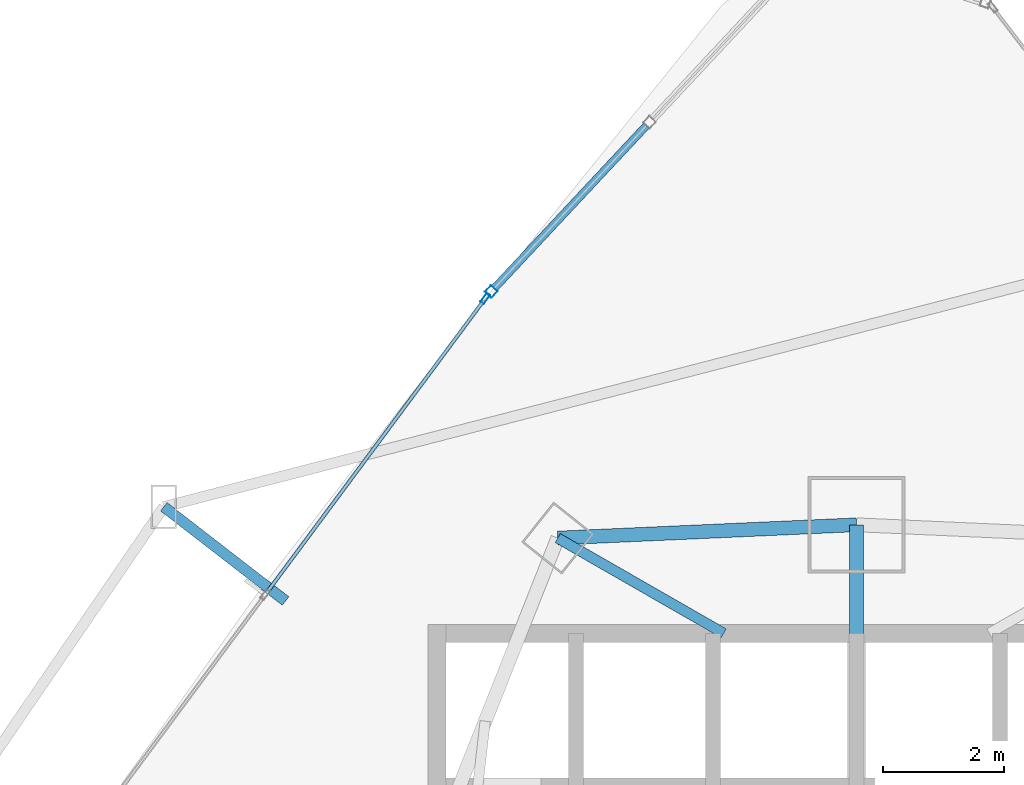
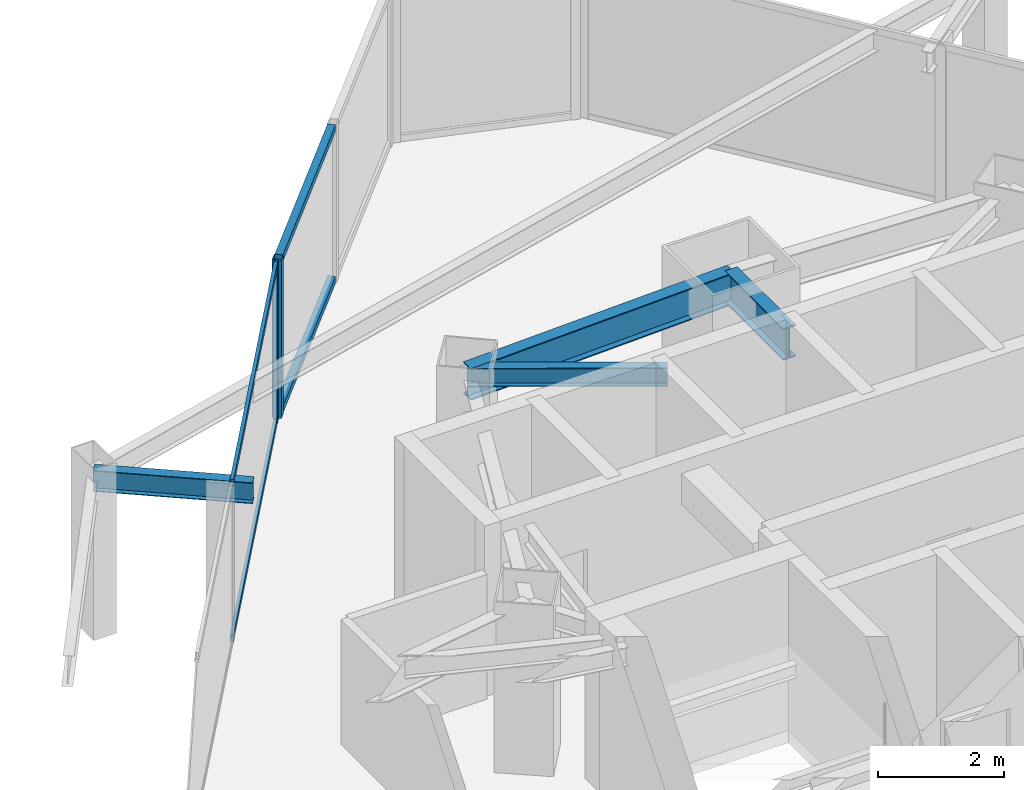
# One storey, part 22 of 34: 6 members, 4 beams, 2 elements without a shape of their own.
"""IFC4 building model written with IfcOpenShell, lengths in metres."""

from ifc_helpers import new_model, si_unit, direction, frame, origin, origin_2d, place, context, subcontext, project, spatial, hollow_rectangle, i_section, extrude, material, layer, layer_set, material_profile, profile_set, type_object, element, aggregate, save


model = new_model("IFC4")

# Units and contexts
model_context = context("Model", 3, precision=1e-05, world=origin(), true_north=direction((0.0, 1.0)))
body_context = subcontext(model_context, "Body", "Model", "MODEL_VIEW")
ifc_project = project(units=[si_unit("LENGTHUNIT", "METRE"), si_unit("AREAUNIT", "SQUARE_METRE"), si_unit("VOLUMEUNIT", "CUBIC_METRE"), si_unit("PLANEANGLEUNIT", "RADIAN"), si_unit("MASSUNIT", "GRAM", prefix="KILO")], contexts=[model_context])

# Site, building, storey
site_placement = place(None, origin())
site = spatial("IfcSite", under=ifc_project, at=site_placement, CompositionType="ELEMENT")
building_placement = place(site_placement, origin())
building = spatial("IfcBuilding", under=site, at=building_placement, Name="Orvanel Arch Residences", CompositionType="ELEMENT")
storey_placement = place(building_placement, frame((0.0, 0.0, 77.449951171875)))
storey = spatial("IfcBuildingStorey", under=building, at=storey_placement, Name="L21", CompositionType="ELEMENT", Elevation=77.449951171875)

# Beams
ifc_material_1 = material(Name="Structural steel AS/NZS 3679.1 Grade 300 (300 MPa)", Category="steel")
ifc_material_profile_1 = material_profile(ifc_material_1, i_section(OverallWidth=0.22900390625, OverallDepth=0.612060546875, WebThickness=0.011962890625, FlangeThickness=0.01953125, at=origin_2d()), Name="610UB125")
ifc_profile_set_1 = profile_set([ifc_material_profile_1], Name="Structural steel AS/NZS 3679.1 Grade 300 (300 MPa)")
beam_type_1 = type_object("IfcBeamType", Name="BG-610UB", PredefinedType="BEAM", material=ifc_profile_set_1)
beam_1_placement = place(storey_placement, frame((33.0, 39.550048828125, 2.754150390625), z_axis=(0.0, 1.0, 0.0), x_axis=(-1.0, 0.0, 0.0)))
element("IfcBeam", 1, at=beam_1_placement, inside=storey, type_object=beam_type_1, Name="L21 North Radial Girder", PredefinedType="BEAM", context=body_context, shape_type="SweptSolid", body=[
    extrude(i_section(OverallWidth=0.22900390625, OverallDepth=0.612060546875, WebThickness=0.011962890625, FlangeThickness=0.01953125, at=origin_2d()), origin(), (0.0, 0.0, 1.0), 1.847900390625),
])
ifc_material_profile_2 = material_profile(ifc_material_1, i_section(OverallWidth=0.1708984375, OverallDepth=0.35595703125, WebThickness=0.00732421875, FlangeThickness=0.011474609375, at=origin_2d()), Name="360UB50.7")
ifc_profile_set_2 = profile_set([ifc_material_profile_2], Name="Structural steel AS/NZS 3679.1 Grade 300 (300 MPa)")
beam_type_2 = type_object("IfcBeamType", Name="BJ-360UB", PredefinedType="JOIST", material=ifc_profile_set_2)
beam_2_placement = place(storey_placement, frame((30.800048828125, 39.60009765625, 2.882080078125), z_axis=(-0.86736513383, 0.497672306458, 0.0), x_axis=(-0.497672306458, -0.86736513383, 0.0)))
element("IfcBeam", 2, at=beam_2_placement, inside=storey, type_object=beam_type_2, Name="L21 MNW Wing Floor Joist", PredefinedType="JOIST", context=body_context, shape_type="SweptSolid", body=[
    extrude(i_section(OverallWidth=0.1708984375, OverallDepth=0.35595703125, WebThickness=0.00732421875, FlangeThickness=0.011474609375, at=origin_2d()), origin(), (0.0, 0.0, 1.0), 3.17041015625),
])

# Curtain wall, member
ifc_material_2 = material(Name="Bronze-anodised aluminium AA6063-T6", Category="aluminium")
ifc_layer_1 = layer(ifc_material_2, 0.18994140625)
ifc_layer_set_1 = layer_set([ifc_layer_1], Name="Bronze-anodised aluminium AA6063-T6")
curtain_wall_type_1 = type_object("IfcCurtainWallType", Name="CW5-CRN-SYS", PredefinedType="NOTDEFINED", material=ifc_layer_set_1)
curtain_wall_1_placement = place(storey_placement, origin())
curtain_wall_1 = element("IfcCurtainWall", 3, at=curtain_wall_1_placement, inside=storey, type_object=curtain_wall_type_1, Name="L21 CW5-CRN-SYS Unitised Curtain Wall", PredefinedType="NOTDEFINED")
ifc_material_profile_3 = material_profile(ifc_material_2, hollow_rectangle(XDim=0.14990234375, YDim=0.14990234375, WallThickness=0.0048828125, at=origin_2d()), Name="ALU150x150x5")
ifc_profile_set_3 = profile_set([ifc_material_profile_3], Name="Bronze-anodised aluminium AA6063-T6")
member_type_1 = type_object("IfcMemberType", Name="MUL-150x150", PredefinedType="MULLION", material=ifc_profile_set_3)
member_1_placement = place(storey_placement, frame((26.947265625, 45.26171875, 0.0), z_axis=(0.0, 0.0, 1.0), x_axis=(0.730281692072, -0.683146141191, 0.0)))
member_1 = element("IfcMember", 4, at=member_1_placement, type_object=member_type_1, Name="CW-S5 mullion 3", PredefinedType="MULLION", context=body_context, shape_type="SweptSolid", body=[
    extrude(hollow_rectangle(XDim=0.14990234375, YDim=0.14990234375, WallThickness=0.0048828125, at=origin_2d()), origin(), (0.0, 0.0, 1.0), 3.06005859375),
])

ifc_layer_2 = layer(ifc_material_2, 0.179931640625)
ifc_layer_set_2 = layer_set([ifc_layer_2], Name="Bronze-anodised aluminium AA6063-T6")
curtain_wall_type_2 = type_object("IfcCurtainWallType", Name="CW2-LOW-SYS", PredefinedType="NOTDEFINED", material=ifc_layer_set_2)
curtain_wall_2_placement = place(storey_placement, origin())
curtain_wall_2 = element("IfcCurtainWall", 5, at=curtain_wall_2_placement, inside=storey, type_object=curtain_wall_type_2, Name="L21 CW2-LOW-SYS Unitised Curtain Wall", PredefinedType="NOTDEFINED")
ifc_material_profile_4 = material_profile(ifc_material_2, hollow_rectangle(XDim=0.070068359375, YDim=0.179931640625, WallThickness=0.00439453125, at=origin_2d()), Name="ALU180x70x4.5")
ifc_profile_set_4 = profile_set([ifc_material_profile_4], Name="Bronze-anodised aluminium AA6063-T6")
member_type_2 = type_object("IfcMemberType", Name="MUL-180x70", PredefinedType="MULLION", material=ifc_profile_set_4)
member_2_placement = place(storey_placement, frame((26.84912109375, 45.14794921875, 0.0), z_axis=(0.0, 0.0, 1.0), x_axis=(0.802859489606, -0.596168298343, 0.0)))
member_2 = element("IfcMember", 6, at=member_2_placement, type_object=member_type_2, Name="CW-S2 mullion 1", PredefinedType="MULLION", context=body_context, shape_type="SweptSolid", body=[
    extrude(hollow_rectangle(XDim=0.070068359375, YDim=0.179931640625, WallThickness=0.00439453125, at=origin_2d()), origin(), (0.0, 0.0, 1.0), 3.06005859375),
])

# Beams
ifc_material_profile_5 = material_profile(ifc_material_1, i_section(OverallWidth=0.177978515625, OverallDepth=0.406005859375, WebThickness=0.0078125, FlangeThickness=0.0126953125, at=origin_2d()), Name="410UB59.7")
ifc_profile_set_5 = profile_set([ifc_material_profile_5], Name="Structural steel AS/NZS 3679.1 Grade 300 (300 MPa)")
beam_type_3 = type_object("IfcBeamType", Name="OB-410UB-EXT", PredefinedType="SPANDREL", material=ifc_profile_set_5)
beam_3_placement = place(storey_placement, frame((23.5419921875, 40.135986328125, 2.85693359375), z_axis=(-0.791019623981, 0.611790776718, 0.0), x_axis=(-0.611790776718, -0.791019623981, 0.0)))
element("IfcBeam", 7, at=beam_3_placement, inside=storey, type_object=beam_type_3, Name="L21 Outer Frame Radial Tie Beam 01", PredefinedType="SPANDREL", context=body_context, shape_type="SweptSolid", body=[
    extrude(i_section(OverallWidth=0.177978515625, OverallDepth=0.406005859375, WebThickness=0.0078125, FlangeThickness=0.0126953125, at=origin_2d()), origin(), (0.0, 0.0, 1.0), 2.550048828125),
])
ifc_material_profile_6 = material_profile(ifc_material_1, i_section(OverallWidth=0.22900390625, OverallDepth=0.612060546875, WebThickness=0.011962890625, FlangeThickness=0.01953125, at=origin_2d()), Name="610UB125")
ifc_profile_set_6 = profile_set([ifc_material_profile_6], Name="Structural steel AS/NZS 3679.1 Grade 300 (300 MPa)")
beam_type_4 = type_object("IfcBeamType", Name="SP-610UB", PredefinedType="SPANDREL", material=ifc_profile_set_6)
beam_4_placement = place(storey_placement, frame((33.0, 41.39794921875, 2.754150390625), z_axis=(-0.999014049296, -0.044395149614, 0.0), x_axis=(0.044395149614, -0.999014049296, 0.0)))
element("IfcBeam", 8, at=beam_4_placement, inside=storey, type_object=beam_type_4, Name="L21 Perimeter Spandrel Beam 17", PredefinedType="SPANDREL", context=body_context, shape_type="SweptSolid", body=[
    extrude(i_section(OverallWidth=0.22900390625, OverallDepth=0.612060546875, WebThickness=0.011962890625, FlangeThickness=0.01953125, at=origin_2d()), origin(), (0.0, 0.0, 1.0), 4.954833984375),
])

# Member
ifc_material_profile_7 = material_profile(ifc_material_2, hollow_rectangle(XDim=0.1298828125, YDim=0.1298828125, WallThickness=0.00439453125, at=origin_2d()), Name="ALU130x130x4.5")
ifc_profile_set_7 = profile_set([ifc_material_profile_7], Name="Bronze-anodised aluminium AA6063-T6")
member_type_3 = type_object("IfcMemberType", Name="TRN-130x130", PredefinedType="USERDEFINED", material=ifc_profile_set_7)
member_3_placement = place(storey_placement, frame((29.518798828125, 48.0107421875, 0.06494140625), z_axis=(-0.68315485184, -0.730273543549, 0.0), x_axis=(0.730273543549, -0.68315485184, 0.0)))
member_3 = element("IfcMember", 9, at=member_3_placement, type_object=member_type_3, Name="CW-S5 transom 2.1", ObjectType="TRANSOM", PredefinedType="USERDEFINED", context=body_context, shape_type="SweptSolid", body=[
    extrude(hollow_rectangle(XDim=0.1298828125, YDim=0.1298828125, WallThickness=0.00439453125, at=origin_2d()), origin(), (0.0, 0.0, 1.0), 3.689208984375),
])

member_4_placement = place(storey_placement, frame((29.518798828125, 48.0107421875, 2.9951171875), z_axis=(-0.68315485184, -0.730273543549, 0.0), x_axis=(0.730273543549, -0.68315485184, 0.0)))
member_4 = element("IfcMember", 10, at=member_4_placement, type_object=member_type_3, Name="CW-S5 transom 2.2", ObjectType="TRANSOM", PredefinedType="USERDEFINED", context=body_context, shape_type="SweptSolid", body=[
    extrude(hollow_rectangle(XDim=0.1298828125, YDim=0.1298828125, WallThickness=0.00439453125, at=origin_2d()), origin(), (0.0, 0.0, 1.0), 3.689208984375),
])

aggregate(curtain_wall_1, [member_1, member_3, member_4])

ifc_material_profile_8 = material_profile(ifc_material_2, hollow_rectangle(XDim=0.06005859375, YDim=0.135009765625, WallThickness=0.00390625, at=origin_2d()), Name="ALU135x60x4")
ifc_profile_set_8 = profile_set([ifc_material_profile_8], Name="Bronze-anodised aluminium AA6063-T6")
member_type_4 = type_object("IfcMemberType", Name="TRN-135x60", PredefinedType="USERDEFINED", material=ifc_profile_set_8)
member_5_placement = place(storey_placement, frame((26.828369140625, 45.119873046875, 0.030029296875), z_axis=(-0.596173772264, -0.802855424884, 0.0), x_axis=(0.802855424884, -0.596173772264, 0.0)))
member_5 = element("IfcMember", 11, at=member_5_placement, type_object=member_type_4, Name="CW-S2 transom 1.1", ObjectType="TRANSOM", PredefinedType="USERDEFINED", context=body_context, shape_type="SweptSolid", body=[
    extrude(hollow_rectangle(XDim=0.06005859375, YDim=0.135009765625, WallThickness=0.00390625, at=origin_2d()), origin(), (0.0, 0.0, 1.0), 6.04443359375),
])

member_6_placement = place(storey_placement, frame((26.828369140625, 45.119873046875, 3.030029296875), z_axis=(-0.596173772264, -0.802855424884, 0.0), x_axis=(0.802855424884, -0.596173772264, 0.0)))
member_6 = element("IfcMember", 12, at=member_6_placement, type_object=member_type_4, Name="CW-S2 transom 1.2", ObjectType="TRANSOM", PredefinedType="USERDEFINED", context=body_context, shape_type="SweptSolid", body=[
    extrude(hollow_rectangle(XDim=0.06005859375, YDim=0.135009765625, WallThickness=0.00390625, at=origin_2d()), origin(), (0.0, 0.0, 1.0), 6.04443359375),
])

aggregate(curtain_wall_2, [member_2, member_5, member_6])

save(model, "model.ifc")
